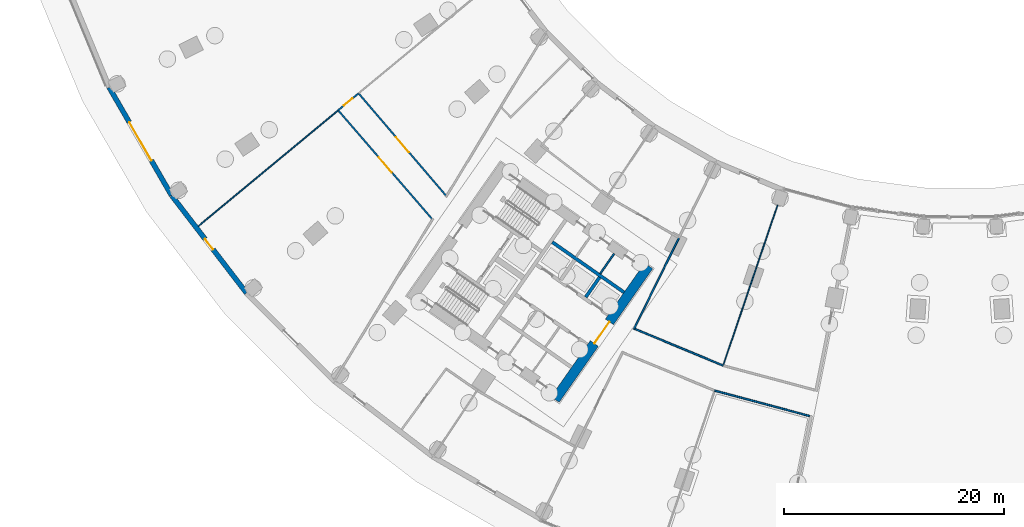
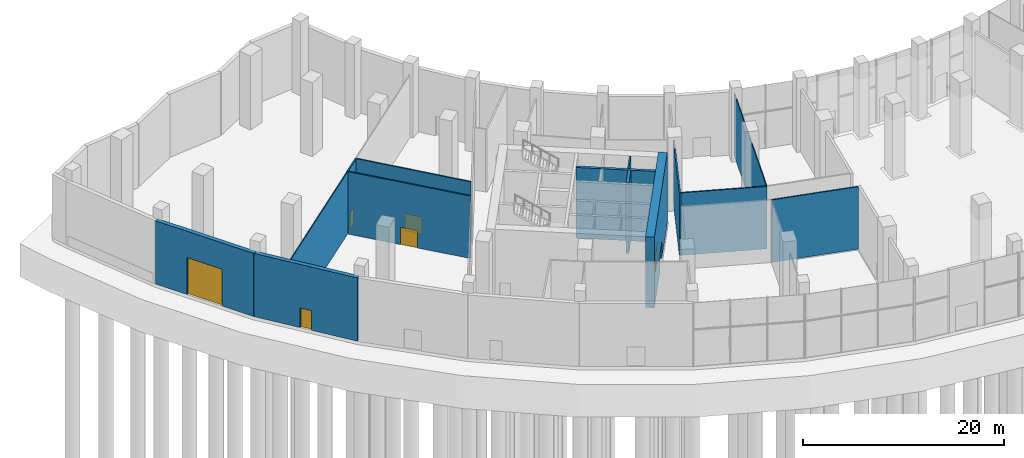
# One storey, part 5 of 23: 14 walls, 6 doors, 6 openings.
"""IFC4 building model written with IfcOpenShell, lengths in metres."""

from ifc_helpers import new_model, si_unit, direction, frame, frame_2d, origin, place, context, subcontext, project, spatial, rectangle, extrude, material, layer, layer_set, type_object, element, fill, save


model = new_model("IFC4")

# Units and contexts
model_context = context("Model", 3, precision=1e-05, world=origin(), true_north=direction((0.0, 1.0)))
body_context = subcontext(model_context, "Body", "Model", "MODEL_VIEW")
ifc_project = project(units=[si_unit("LENGTHUNIT", "METRE"), si_unit("AREAUNIT", "SQUARE_METRE"), si_unit("VOLUMEUNIT", "CUBIC_METRE"), si_unit("PLANEANGLEUNIT", "RADIAN"), si_unit("MASSUNIT", "GRAM", prefix="KILO")], contexts=[model_context])

# Site, building, storey
site_placement = place(None, origin())
site = spatial("IfcSite", under=ifc_project, at=site_placement, CompositionType="ELEMENT")
building_placement = place(site_placement, origin())
building = spatial("IfcBuilding", under=site, at=building_placement, Name="Qamariyya Broadcast Tower", CompositionType="ELEMENT")
storey_placement = place(building_placement, origin())
storey = spatial("IfcBuildingStorey", under=building, at=storey_placement, Name="L00", CompositionType="ELEMENT", Elevation=0.0)

# Wall, opening, door
ifc_material_1 = material(Name="Concrete C70/85", Category="concrete")
ifc_layer_1 = layer(ifc_material_1, 0.89990234375)
ifc_layer_set_1 = layer_set([ifc_layer_1], Name="Core wall 900 mm Concrete C70/85")
wall_type_1 = type_object("IfcWallType", Name="Core wall 900 mm Concrete C70/85", PredefinedType="SHEAR", material=ifc_layer_set_1)
wall_1_placement = place(storey_placement, frame((-36.716796875, -66.3369140625, 0.0), z_axis=(0.0, 0.0, 1.0), x_axis=(0.573577477574, 0.819151315216, 0.0)))
wall_1 = element("IfcWall", 1, at=wall_1_placement, inside=storey, type_object=wall_type_1, Name="k-W-L00-WA", PredefinedType="SHEAR", context=body_context, shape_type="SweptSolid", body=[
    extrude(rectangle(XDim=14.800048828125, YDim=0.89990234375, at=frame_2d((7.39990234375, 0.0))), origin(), (0.0, 0.0, 1.0), 8.60009765625),
])
opening_1_placement = place(wall_1_placement, frame((6.199951171875, 0.0, 0.0)))
opening_1 = element("IfcOpeningElement", 2, at=opening_1_placement, cuts=wall_1, Name="Opening KD3-W1", PredefinedType="OPENING", context=body_context, shape_type="SweptSolid", body=[
    extrude(rectangle(XDim=2.39990234375, YDim=2.10009765625, at=frame_2d((1.199951171875, 1.050048828125))), frame((0.0, 0.4599609375, 0.0), z_axis=(0.0, -1.0, 0.0), x_axis=(1.0, 0.0, 0.0)), (0.0, 0.0, 1.0), 0.919921875),
])
ifc_material_2 = material(Name="Steel fire-resisting door leaf", Category="steel")
door_type_1 = type_object("IfcDoorType", Name="Lift lobby door KD3", OperationType="DOUBLE_DOOR_SINGLE_SWING", PredefinedType="DOOR", material=ifc_material_2)
door_1_placement = place(opening_1_placement, origin())
door_1 = element("IfcDoor", 3, at=door_1_placement, inside=storey, type_object=door_type_1, Name="k-W-L00-WA-D1", OperationType="DOUBLE_DOOR_SINGLE_SWING", OverallHeight=2.10009765625, OverallWidth=2.39990234375, PredefinedType="DOOR", context=body_context, shape_type="SweptSolid", body=[
    extrude(rectangle(XDim=2.39990234375, YDim=2.10009765625, at=frame_2d((1.199951171875, 1.050048828125))), frame((0.0, 0.02490234375, 0.0), z_axis=(0.0, -1.0, 0.0), x_axis=(1.0, 0.0, 0.0)), (0.0, 0.0, 1.0), 0.050048828125),
])
fill(opening_1, door_1)

ifc_material_3 = material(Name="Gypsum board partition")
ifc_layer_2 = layer(ifc_material_3, 0.14990234375)
ifc_layer_set_2 = layer_set([ifc_layer_2], Name="Corridor partition 150 EI 60")
wall_type_2 = type_object("IfcWallType", Name="Corridor partition 150 EI 60", PredefinedType="PARTITIONING", material=ifc_layer_set_2)
wall_2_placement = place(storey_placement, frame((-56.396484375, -40.1005859375, 0.0), z_axis=(0.0, 0.0, 1.0), x_axis=(0.769873446727, 0.63819658102, 0.0)))
wall_2 = element("IfcWall", 4, at=wall_2_placement, inside=storey, type_object=wall_type_2, Name="Partition L00-002", PredefinedType="PARTITIONING", context=body_context, shape_type="SweptSolid", body=[
    extrude(rectangle(XDim=2.406494140625, YDim=0.14990234375, at=frame_2d((1.203125, 0.0))), origin(), (0.0, 0.0, 1.0), 7.60009765625),
])
opening_2_placement = place(wall_2_placement, frame((0.703369140625, 0.0, 0.0)))
opening_2 = element("IfcOpeningElement", 5, at=opening_2_placement, cuts=wall_2, Name="Opening L00-D15", PredefinedType="OPENING", context=body_context, shape_type="SweptSolid", body=[
    extrude(rectangle(XDim=1.0, YDim=2.10009765625, at=frame_2d((0.5, 1.050048828125))), frame((0.0, 0.0849609375, 0.0), z_axis=(0.0, -1.0, 0.0), x_axis=(1.0, 0.0, 0.0)), (0.0, 0.0, 1.0), 0.169921875),
])
ifc_material_4 = material(Name="Timber fire door leaf", Category="wood")
door_type_2 = type_object("IfcDoorType", Name="Fire door 1000 x 2100 FD60", OperationType="NOTDEFINED", PredefinedType="DOOR", material=ifc_material_4)
door_2_placement = place(opening_2_placement, origin())
door_2 = element("IfcDoor", 6, at=door_2_placement, inside=storey, type_object=door_type_2, Name="Door L00-D15", OperationType="SINGLE_SWING_RIGHT", OverallHeight=2.10009765625, OverallWidth=1.0, PredefinedType="DOOR", context=body_context, shape_type="SweptSolid", body=[
    extrude(rectangle(XDim=1.0, YDim=2.10009765625, at=frame_2d((0.5, 1.050048828125))), frame((0.0, 0.02490234375, 0.0), z_axis=(0.0, -1.0, 0.0), x_axis=(1.0, 0.0, 0.0)), (0.0, 0.0, 1.0), 0.050048828125),
])
fill(opening_2, door_2)

wall_3_placement = place(storey_placement, frame((-47.8955078125, -49.936767578125, 0.0), z_axis=(0.0, 0.0, 1.0), x_axis=(-0.653903077734, 0.756578327029, 0.0)))
wall_3 = element("IfcWall", 7, at=wall_3_placement, inside=storey, type_object=wall_type_2, Name="Partition L00-007", PredefinedType="PARTITIONING", context=body_context, shape_type="SweptSolid", body=[
    extrude(rectangle(XDim=12.92578125, YDim=0.14990234375, at=frame_2d((6.462890625, 0.0))), origin(), (0.0, 0.0, 1.0), 7.60009765625),
])
opening_3_placement = place(wall_3_placement, frame((5.562744140625, 0.0, 0.0)))
opening_3 = element("IfcOpeningElement", 8, at=opening_3_placement, cuts=wall_3, Name="Opening L00-D14", PredefinedType="OPENING", context=body_context, shape_type="SweptSolid", body=[
    extrude(rectangle(XDim=1.800048828125, YDim=2.10009765625, at=frame_2d((0.89990234375, 1.050048828125))), frame((0.0, 0.0849609375, 0.0), z_axis=(0.0, -1.0, 0.0), x_axis=(1.0, 0.0, 0.0)), (0.0, 0.0, 1.0), 0.169921875),
])
door_type_3 = type_object("IfcDoorType", Name="Double fire door 1800 x 2100 FD60", OperationType="NOTDEFINED", PredefinedType="DOOR", material=ifc_material_4)
door_3_placement = place(opening_3_placement, origin())
door_3 = element("IfcDoor", 9, at=door_3_placement, inside=storey, type_object=door_type_3, Name="Door L00-D14", OperationType="DOUBLE_DOOR_SINGLE_SWING", OverallHeight=2.10009765625, OverallWidth=1.800048828125, PredefinedType="DOOR", context=body_context, shape_type="SweptSolid", body=[
    extrude(rectangle(XDim=1.800048828125, YDim=2.10009765625, at=frame_2d((0.89990234375, 1.050048828125))), frame((0.0, 0.02490234375, 0.0), z_axis=(0.0, -1.0, 0.0), x_axis=(1.0, 0.0, 0.0)), (0.0, 0.0, 1.0), 0.050048828125),
])
fill(opening_3, door_3)

wall_4_placement = place(storey_placement, frame((-54.494873046875, -38.62158203125, 0.0), z_axis=(0.0, 0.0, 1.0), x_axis=(0.649856980775, -0.760056514042, 0.0)))
wall_4 = element("IfcWall", 10, at=wall_4_placement, inside=storey, type_object=wall_type_2, Name="Partition L00-010", PredefinedType="PARTITIONING", context=body_context, shape_type="SweptSolid", body=[
    extrude(rectangle(XDim=12.12060546875, YDim=0.14990234375, at=frame_2d((6.060302734375, 0.0))), origin(), (0.0, 0.0, 1.0), 7.60009765625),
])
opening_4_placement = place(wall_4_placement, frame((5.160400390625, 0.0, 0.0)))
opening_4 = element("IfcOpeningElement", 11, at=opening_4_placement, cuts=wall_4, Name="Opening L00-D13", PredefinedType="OPENING", context=body_context, shape_type="SweptSolid", body=[
    extrude(rectangle(XDim=1.800048828125, YDim=2.10009765625, at=frame_2d((0.89990234375, 1.050048828125))), frame((0.0, 0.0849609375, 0.0), z_axis=(0.0, -1.0, 0.0), x_axis=(1.0, 0.0, 0.0)), (0.0, 0.0, 1.0), 0.169921875),
])
door_4_placement = place(opening_4_placement, origin())
door_4 = element("IfcDoor", 12, at=door_4_placement, inside=storey, type_object=door_type_3, Name="Door L00-D13", OperationType="DOUBLE_DOOR_SINGLE_SWING", OverallHeight=2.10009765625, OverallWidth=1.800048828125, PredefinedType="DOOR", context=body_context, shape_type="SweptSolid", body=[
    extrude(rectangle(XDim=1.800048828125, YDim=2.10009765625, at=frame_2d((0.89990234375, 1.050048828125))), frame((0.0, 0.02490234375, 0.0), z_axis=(0.0, -1.0, 0.0), x_axis=(1.0, 0.0, 0.0)), (0.0, 0.0, 1.0), 0.050048828125),
])
fill(opening_4, door_4)

# Walls
wall_5_placement = place(storey_placement, frame((-29.4755859375, -59.939697265625, 0.0), z_axis=(0.0, 0.0, 1.0), x_axis=(0.923877031545, -0.382689470177, 0.0)))
element("IfcWall", 13, at=wall_5_placement, inside=storey, type_object=wall_type_2, Name="Partition L00-022", PredefinedType="PARTITIONING", context=body_context, shape_type="SweptSolid", body=[
    extrude(rectangle(XDim=8.662841796875, YDim=0.14990234375, at=frame_2d((4.33154296875, 0.0))), origin(), (0.0, 0.0, 1.0), 7.60009765625),
])
wall_6_placement = place(storey_placement, frame((-25.475830078125, -51.659912109375, 0.0), z_axis=(0.0, 0.0, 1.0), x_axis=(-0.442300315355, -0.896867008556, 0.0)))
element("IfcWall", 14, at=wall_6_placement, inside=storey, type_object=wall_type_2, Name="Partition L00-025", PredefinedType="PARTITIONING", context=body_context, shape_type="SweptSolid", body=[
    extrude(rectangle(XDim=9.27490234375, YDim=0.14990234375, at=frame_2d((4.637451171875, 0.0))), origin(), (0.0, 0.0, 1.0), 7.60009765625),
])
wall_7_placement = place(storey_placement, frame((-22.24365234375, -65.527587890625, 0.0), z_axis=(0.0, 0.0, 1.0), x_axis=(0.965928763412, -0.258808083362, 0.0)))
element("IfcWall", 15, at=wall_7_placement, inside=storey, type_object=wall_type_2, Name="Partition L00-026", PredefinedType="PARTITIONING", context=body_context, shape_type="SweptSolid", body=[
    extrude(rectangle(XDim=8.9267578125, YDim=0.14990234375, at=frame_2d((4.46337890625, 0.0))), origin(), (0.0, 0.0, 1.0), 7.60009765625),
])
ifc_material_5 = material(Name="Gypsum board partition on steel studs", Category="steel")
ifc_layer_3 = layer(ifc_material_5, 0.14990234375)
ifc_layer_set_3 = layer_set([ifc_layer_3], Name="Gypsum board partition 150 mm")
wall_type_3 = type_object("IfcWallType", Name="Gypsum board partition 150 mm", PredefinedType="PARTITIONING", material=ifc_layer_set_3)
wall_8_placement = place(storey_placement, frame((-32.627197265625, -54.91748046875, 0.0), z_axis=(0.0, 0.0, 1.0), x_axis=(0.573507030513, 0.819200638399, 0.0)))
element("IfcWall", 16, at=wall_8_placement, inside=storey, type_object=wall_type_3, Name="k-W-L00-NP275", PredefinedType="PARTITIONING", context=body_context, shape_type="SweptSolid", body=[
    extrude(rectangle(XDim=2.199951171875, YDim=0.14990234375, at=frame_2d((1.10009765625, 0.0))), origin(), (0.0, 0.0, 1.0), 8.60009765625),
])
ifc_material_6 = material(Name="Concrete C60/75", Category="concrete")
ifc_layer_4 = layer(ifc_material_6, 0.300048828125)
ifc_layer_set_4 = layer_set([ifc_layer_4], Name="Lift shaft wall 300 mm Concrete C60/75")
wall_type_4 = type_object("IfcWallType", Name="Lift shaft wall 300 mm Concrete C60/75", PredefinedType="SOLIDWALL", material=ifc_layer_set_4)
wall_9_placement = place(storey_placement, frame((-30.460693359375, -56.61767578125, 0.0), z_axis=(0.0, 0.0, 1.0), x_axis=(-0.819142461705, 0.573590121456, 0.0)))
element("IfcWall", 17, at=wall_9_placement, inside=storey, type_object=wall_type_4, Name="k-W-L00-NB0", PredefinedType="SOLIDWALL", context=body_context, shape_type="SweptSolid", body=[
    extrude(rectangle(XDim=7.949951171875, YDim=0.300048828125, at=frame_2d((3.97509765625, 0.0))), origin(), (0.0, 0.0, 1.0), 8.60009765625),
])
wall_10_placement = place(storey_placement, frame((-33.9384765625, -57.051513671875, 0.0), z_axis=(0.0, 0.0, 1.0), x_axis=(0.573581496053, 0.819148501424, 0.0)))
element("IfcWall", 18, at=wall_10_placement, inside=storey, type_object=wall_type_4, Name="k-W-L00-ND0", PredefinedType="SOLIDWALL", context=body_context, shape_type="SweptSolid", body=[
    extrude(rectangle(XDim=2.2001953125, YDim=0.300048828125, at=frame_2d((1.10009765625, 0.0))), origin(), (0.0, 0.0, 1.0), 8.60009765625),
])
ifc_layer_5 = layer(ifc_material_3, 0.10009765625)
ifc_layer_set_5 = layer_set([ifc_layer_5], Name="Partition 100")
wall_type_5 = type_object("IfcWallType", Name="Partition 100", PredefinedType="PARTITIONING", material=ifc_layer_set_5)
wall_11_placement = place(storey_placement, frame((-69.078369140625, -50.6142578125, 0.0), z_axis=(0.0, 0.0, 1.0), x_axis=(0.769847826177, 0.638227486505, 0.0)))
element("IfcWall", 19, at=wall_11_placement, inside=storey, type_object=wall_type_5, Name="Partition L00-001", PredefinedType="PARTITIONING", context=body_context, shape_type="SweptSolid", body=[
    extrude(rectangle(XDim=16.47314453125, YDim=0.10009765625, at=frame_2d((8.236572265625, 0.0))), origin(), (0.0, 0.0, 1.0), 7.60009765625),
])
wall_12_placement = place(storey_placement, frame((-16.13623046875, -47.535888671875, 0.0), z_axis=(0.0, 0.0, 1.0), x_axis=(-0.321439713462, -0.946930045256, 0.0)))
element("IfcWall", 20, at=wall_12_placement, inside=storey, type_object=wall_type_5, Name="Partition L00-029", PredefinedType="PARTITIONING", context=body_context, shape_type="SweptSolid", body=[
    extrude(rectangle(XDim=16.52490234375, YDim=0.10009765625, at=frame_2d((8.262451171875, 0.0))), origin(), (0.0, 0.0, 1.0), 7.60009765625),
])

# Wall, opening, door
ifc_material_7 = material(Name="Precast concrete C40/50 with terracotta facing", Category="masonry")
ifc_layer_6 = layer(ifc_material_7, 0.449951171875)
ifc_layer_set_6 = layer_set([ifc_layer_6], Name="Precast concrete C40/50 wall 450, terracotta faced")
wall_type_6 = type_object("IfcWallType", Name="Precast concrete C40/50 wall 450, terracotta faced", PredefinedType="SOLIDWALL", material=ifc_layer_set_6)
wall_13_placement = place(storey_placement, frame((-77.16796875, -38.021728515625, 0.0), z_axis=(0.0, 0.0, 1.0), x_axis=(0.500001430823, -0.866024577697, 0.0)))
wall_13 = element("IfcWall", 21, at=wall_13_placement, inside=storey, type_object=wall_type_6, Name="e-wl-L00-out20", PredefinedType="SOLIDWALL", context=body_context, shape_type="SweptSolid", body=[
    extrude(rectangle(XDim=11.3125, YDim=0.449951171875, at=frame_2d((5.65625, 0.0))), origin(), (0.0, 0.0, 1.0), 7.699951171875),
])
opening_5_placement = place(wall_13_placement, frame((3.65625, 0.0, 0.0)))
opening_5 = element("IfcOpeningElement", 22, at=opening_5_placement, cuts=wall_13, Name="Opening ED3", PredefinedType="OPENING", context=body_context, shape_type="SweptSolid", body=[
    extrude(rectangle(XDim=4.0, YDim=4.5, at=frame_2d((2.0, 2.25))), frame((0.0, 0.23486328125, 0.0), z_axis=(0.0, -1.0, 0.0), x_axis=(1.0, 0.0, 0.0)), (0.0, 0.0, 1.0), 0.469970703125),
])
ifc_material_8 = material(Name="Toughened glass in stainless steel frame", Category="steel")
door_type_4 = type_object("IfcDoorType", Name="Loading bay roller door 4000 x 4500", OperationType="ROLLINGUP", PredefinedType="DOOR", material=ifc_material_8)
door_5_placement = place(opening_5_placement, origin())
door_5 = element("IfcDoor", 23, at=door_5_placement, inside=storey, type_object=door_type_4, Name="e-ed-L00-loadW", OperationType="ROLLINGUP", OverallHeight=4.5, OverallWidth=4.0, PredefinedType="DOOR", context=body_context, shape_type="SweptSolid", body=[
    extrude(rectangle(XDim=4.0, YDim=4.5, at=frame_2d((2.0, 2.25))), frame((0.0, 0.02490234375, 0.0), z_axis=(0.0, -1.0, 0.0), x_axis=(1.0, 0.0, 0.0)), (0.0, 0.0, 1.0), 0.050048828125),
])
fill(opening_5, door_5)

wall_14_placement = place(storey_placement, frame((-71.490966796875, -47.83935546875, 0.0), z_axis=(0.0, 0.0, 1.0), x_axis=(0.608758773695, -0.793355377778, 0.0)))
wall_14 = element("IfcWall", 24, at=wall_14_placement, inside=storey, type_object=wall_type_6, Name="e-wl-L00-out30", PredefinedType="SOLIDWALL", context=body_context, shape_type="SweptSolid", body=[
    extrude(rectangle(XDim=11.134765625, YDim=0.449951171875, at=frame_2d((5.5673828125, 0.0))), origin(), (0.0, 0.0, 1.0), 7.699951171875),
])
opening_6_placement = place(wall_14_placement, frame((4.96728515625, 0.0, 0.0)))
opening_6 = element("IfcOpeningElement", 25, at=opening_6_placement, cuts=wall_14, Name="Opening ED2", PredefinedType="OPENING", context=body_context, shape_type="SweptSolid", body=[
    extrude(rectangle(XDim=1.199951171875, YDim=2.39990234375, at=frame_2d((0.60009765625, 1.199951171875))), frame((0.0, 0.23486328125, 0.0), z_axis=(0.0, -1.0, 0.0), x_axis=(1.0, 0.0, 0.0)), (0.0, 0.0, 1.0), 0.469970703125),
])
door_type_5 = type_object("IfcDoorType", Name="Service door 1200 x 2400", OperationType="SINGLE_SWING_LEFT", PredefinedType="DOOR", material=ifc_material_8)
door_6_placement = place(opening_6_placement, origin())
door_6 = element("IfcDoor", 26, at=door_6_placement, inside=storey, type_object=door_type_5, Name="e-ed-L00-svcW", OperationType="SINGLE_SWING_LEFT", OverallHeight=2.39990234375, OverallWidth=1.199951171875, PredefinedType="DOOR", context=body_context, shape_type="SweptSolid", body=[
    extrude(rectangle(XDim=1.199951171875, YDim=2.39990234375, at=frame_2d((0.60009765625, 1.199951171875))), frame((0.0, 0.02490234375, 0.0), z_axis=(0.0, -1.0, 0.0), x_axis=(1.0, 0.0, 0.0)), (0.0, 0.0, 1.0), 0.050048828125),
])
fill(opening_6, door_6)

save(model, "model.ifc")
